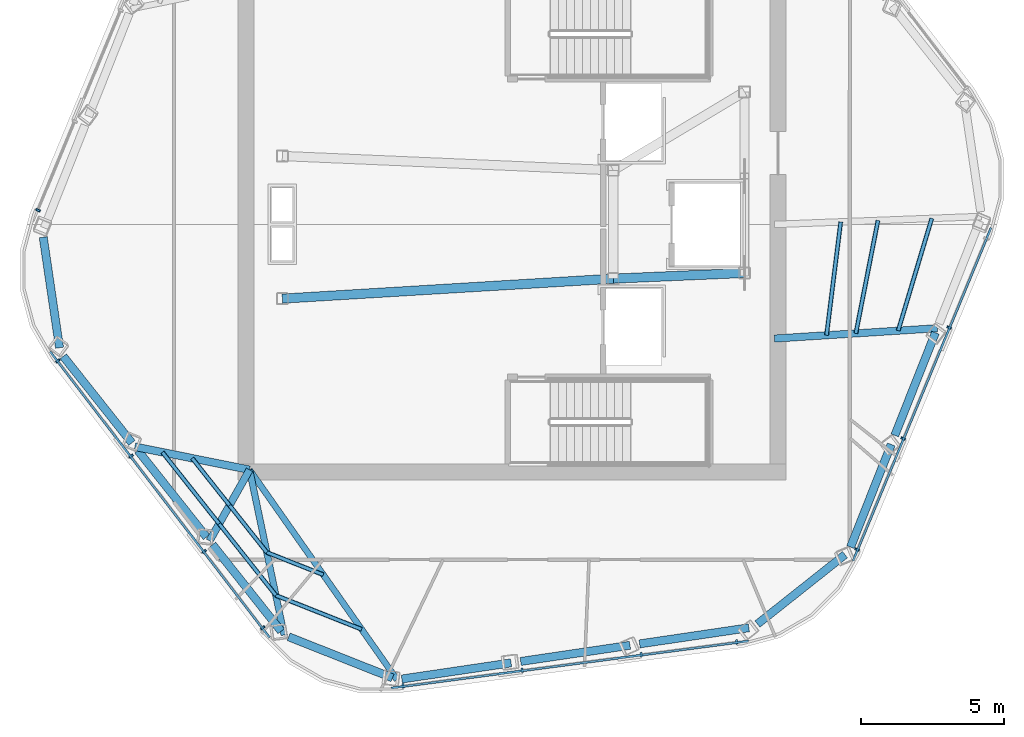
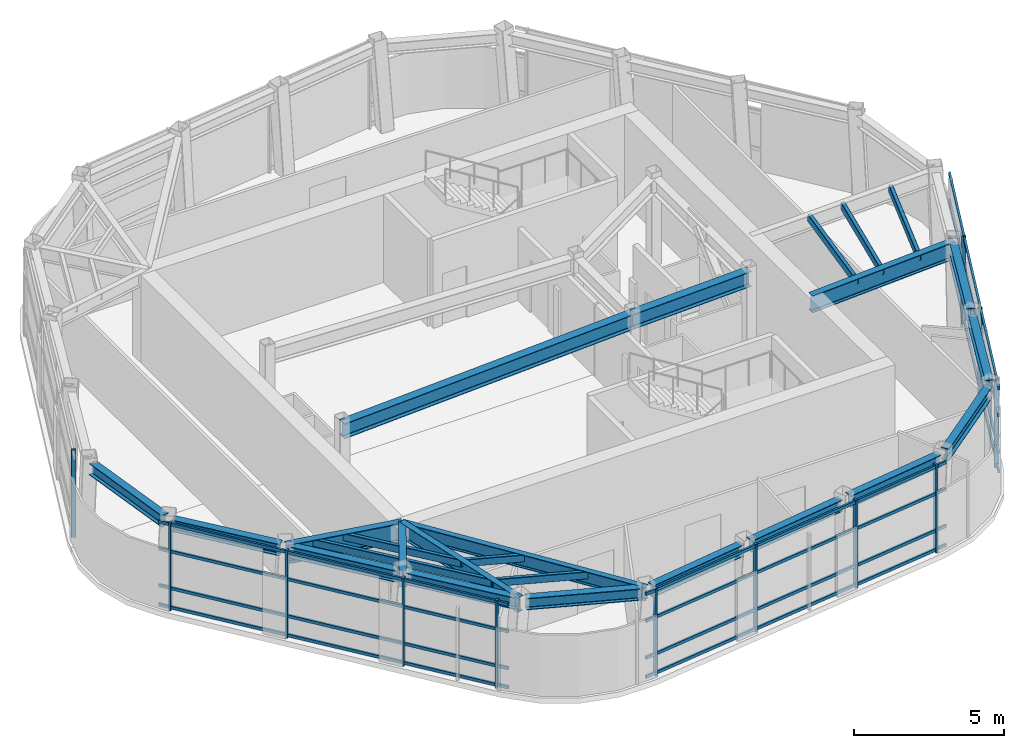
# One storey, part 2 of 9: 33 members, 18 beams, 4 elements without a shape of their own.
"""IFC4 building model written with IfcOpenShell, lengths in metres."""

from ifc_helpers import new_model, si_unit, direction, frame, origin, origin_2d, place, context, subcontext, project, spatial, rectangle, hollow_rectangle, i_section, extrude, material, layer, layer_set, material_profile, profile_set, type_object, element, aggregate, save


model = new_model("IFC4")

# Units and contexts
model_context = context("Model", 3, precision=1e-05, world=origin(), true_north=direction((0.0, 1.0)))
body_context = subcontext(model_context, "Body", "Model", "MODEL_VIEW")
ifc_project = project(units=[si_unit("LENGTHUNIT", "METRE"), si_unit("AREAUNIT", "SQUARE_METRE"), si_unit("VOLUMEUNIT", "CUBIC_METRE"), si_unit("PLANEANGLEUNIT", "RADIAN"), si_unit("MASSUNIT", "GRAM", prefix="KILO")], contexts=[model_context])

# Site, building, storey
site_placement = place(None, origin())
site = spatial("IfcSite", under=ifc_project, at=site_placement, CompositionType="ELEMENT")
building_placement = place(site_placement, origin())
building = spatial("IfcBuilding", under=site, at=building_placement, Name="Valkerne Bourse Tower", CompositionType="ELEMENT")
storey_placement = place(building_placement, frame((0.0, 0.0, 315.39990234375)))
storey = spatial("IfcBuildingStorey", under=building, at=storey_placement, Name="L80", CompositionType="ELEMENT", Elevation=315.39990234375)

# Beams
ifc_material_1 = material(Name="Steel ASTM A992", Category="steel")
ifc_material_profile_1 = material_profile(ifc_material_1, i_section(OverallWidth=0.284423828125, OverallDepth=0.47509765625, WebThickness=0.014892578125, FlangeThickness=0.02392578125, FilletRadius=0.017822265625, at=origin_2d()), Name="W18X106")
ifc_profile_set_1 = profile_set([ifc_material_profile_1], Name="Steel ASTM A992")
beam_type_1 = type_object("IfcBeamType", Name="BM-W18X106", PredefinedType="BEAM", material=ifc_profile_set_1)
beam_1_placement = place(storey_placement, frame((30.36767578125, 26.552490234375, 3.342529296875), z_axis=(0.146089921297, -0.989271315108, 0.0), x_axis=(0.989271315108, 0.146089921297, 0.0)))
element("IfcBeam", 1, at=beam_1_placement, inside=storey, type_object=beam_type_1, Name="L80 Hexagonal Spandrel Ring Beam 07", PredefinedType="BEAM", context=body_context, shape_type="SweptSolid", body=[
    extrude(i_section(OverallWidth=0.284423828125, OverallDepth=0.47509765625, WebThickness=0.014892578125, FlangeThickness=0.02392578125, FilletRadius=0.017822265625, at=origin_2d()), origin(), (0.0, 0.0, 1.0), 3.91552734375),
])
beam_2_placement = place(storey_placement, frame((31.070068359375, 22.37744140625, 3.342529296875), z_axis=(0.621143752314, -0.783696649834, 0.0), x_axis=(0.783696649834, 0.621143752314, 0.0)))
element("IfcBeam", 2, at=beam_2_placement, inside=storey, type_object=beam_type_1, Name="L80 Hexagonal Spandrel Ring Beam 08", PredefinedType="BEAM", context=body_context, shape_type="SweptSolid", body=[
    extrude(i_section(OverallWidth=0.284423828125, OverallDepth=0.47509765625, WebThickness=0.014892578125, FlangeThickness=0.02392578125, FilletRadius=0.017822265625, at=origin_2d()), origin(), (0.0, 0.0, 1.0), 3.871826171875),
])
for number, where, z_axis, x_axis, name in (
    (3, (33.686279296875, 19.07666015625, 3.342529296875), (0.621113059466, -0.78372097545, 0.0), (0.78372097545, 0.621113059466, 0.0), "L80 Hexagonal Spandrel Ring Beam 09"),
    (4, (36.302490234375, 15.775634765625, 3.342529296875), (0.621182476498, -0.783665956191, 0.0), (0.783665956191, 0.621182476498, 0.0), "L80 Hexagonal Spandrel Ring Beam 10"),
):
    element("IfcBeam", number, at=place(storey_placement, frame(where, z_axis=z_axis, x_axis=x_axis)), inside=storey, type_object=beam_type_1, Name=name, PredefinedType="BEAM", context=body_context, shape_type="SweptSolid", body=[
        extrude(i_section(OverallWidth=0.284423828125, OverallDepth=0.47509765625, WebThickness=0.014892578125, FlangeThickness=0.02392578125, FilletRadius=0.017822265625, at=origin_2d()), origin(), (0.0, 0.0, 1.0), 3.8720703125),
    ])
beam_3_placement = place(storey_placement, frame((38.971435546875, 12.54541015625, 3.342529296875), z_axis=(0.929778160455, -0.368120323184, 0.0), x_axis=(0.368120323184, 0.929778160455, 0.0)))
element("IfcBeam", 5, at=beam_3_placement, inside=storey, type_object=beam_type_1, Name="L80 Hexagonal Spandrel Ring Beam 11", PredefinedType="BEAM", context=body_context, shape_type="SweptSolid", body=[
    extrude(i_section(OverallWidth=0.284423828125, OverallDepth=0.47509765625, WebThickness=0.014892578125, FlangeThickness=0.02392578125, FilletRadius=0.017822265625, at=origin_2d()), origin(), (0.0, 0.0, 1.0), 3.91552734375),
])
for number, where, z_axis, x_axis, name in (
    (6, (42.938232421875, 11.066162109375, 3.342529296875), (0.989271400108, 0.146089345701, 0.0), (-0.146089345701, 0.989271400108, 0.0), "L80 Hexagonal Spandrel Ring Beam 12"),
    (7, (47.10498046875, 11.681396484375, 3.342529296875), (0.989262286, 0.146151050283, 0.0), (-0.146151050283, 0.989262286, 0.0), "L80 Hexagonal Spandrel Ring Beam 13"),
):
    element("IfcBeam", number, at=place(storey_placement, frame(where, z_axis=z_axis, x_axis=x_axis)), inside=storey, type_object=beam_type_1, Name=name, PredefinedType="BEAM", context=body_context, shape_type="SweptSolid", body=[
        extrude(i_section(OverallWidth=0.284423828125, OverallDepth=0.47509765625, WebThickness=0.014892578125, FlangeThickness=0.02392578125, FilletRadius=0.017822265625, at=origin_2d()), origin(), (0.0, 0.0, 1.0), 3.8720703125),
    ])
beam_4_placement = place(storey_placement, frame((51.27197265625, 12.296875, 3.342529296875), z_axis=(0.98927005434, 0.146098458532, 0.0), x_axis=(-0.146098458532, 0.98927005434, 0.0)))
element("IfcBeam", 8, at=beam_4_placement, inside=storey, type_object=beam_type_1, Name="L80 Hexagonal Spandrel Ring Beam 14", PredefinedType="BEAM", context=body_context, shape_type="SweptSolid", body=[
    extrude(i_section(OverallWidth=0.284423828125, OverallDepth=0.47509765625, WebThickness=0.014892578125, FlangeThickness=0.02392578125, FilletRadius=0.017822265625, at=origin_2d()), origin(), (0.0, 0.0, 1.0), 3.871826171875),
])
beam_5_placement = place(storey_placement, frame((55.40380859375, 12.992919921875, 3.342529296875), z_axis=(0.783695480101, 0.621145228162, 0.0), x_axis=(-0.621145228162, 0.783695480101, 0.0)))
element("IfcBeam", 9, at=beam_5_placement, inside=storey, type_object=beam_type_1, Name="L80 Hexagonal Spandrel Ring Beam 15", PredefinedType="BEAM", context=body_context, shape_type="SweptSolid", body=[
    extrude(i_section(OverallWidth=0.284423828125, OverallDepth=0.47509765625, WebThickness=0.014892578125, FlangeThickness=0.02392578125, FilletRadius=0.017822265625, at=origin_2d()), origin(), (0.0, 0.0, 1.0), 3.91552734375),
])
for number, where, z_axis, x_axis, name in (
    (10, (58.668212890625, 15.688720703125, 3.342529296875), (0.368105233791, 0.929784134547, 0.0), (-0.929784134547, 0.368105233791, 0.0), "L80 Hexagonal Spandrel Ring Beam 16"),
    (11, (60.21875, 19.60498046875, 3.342529296875), (0.368105233791, 0.929784134547, 0.0), (-0.929784134547, 0.368105233791, 0.0), "L80 Hexagonal Spandrel Ring Beam 17"),
):
    element("IfcBeam", number, at=place(storey_placement, frame(where, z_axis=z_axis, x_axis=x_axis)), inside=storey, type_object=beam_type_1, Name=name, PredefinedType="BEAM", context=body_context, shape_type="SweptSolid", body=[
        extrude(i_section(OverallWidth=0.284423828125, OverallDepth=0.47509765625, WebThickness=0.014892578125, FlangeThickness=0.02392578125, FilletRadius=0.017822265625, at=origin_2d()), origin(), (0.0, 0.0, 1.0), 3.8720703125),
    ])
ifc_material_profile_2 = material_profile(ifc_material_1, i_section(OverallWidth=0.2138671875, OverallDepth=0.548583984375, WebThickness=0.0146484375, FlangeThickness=0.023681640625, FilletRadius=0.017822265625, at=origin_2d()), Name="W21X93")
ifc_profile_set_2 = profile_set([ifc_material_profile_2], Name="Steel ASTM A992")
beam_type_2 = type_object("IfcBeamType", Name="BM-W21X93", PredefinedType="BEAM", material=ifc_profile_set_2)
beam_6_placement = place(storey_placement, frame((42.77001953125, 11.041259765625, 3.305908203125), z_axis=(-0.574869873693, 0.818244846192, 0.0), x_axis=(-0.818244846192, -0.574869873693, 0.0)))
element("IfcBeam", 12, at=beam_6_placement, inside=storey, type_object=beam_type_2, Name="L80 Radial Composite Floor Beam 12", PredefinedType="BEAM", context=body_context, shape_type="SweptSolid", body=[
    extrude(i_section(OverallWidth=0.2138671875, OverallDepth=0.548583984375, WebThickness=0.0146484375, FlangeThickness=0.023681640625, FilletRadius=0.017822265625, at=origin_2d()), origin(), (0.0, 0.0, 1.0), 8.9931640625),
])
ifc_material_profile_3 = material_profile(ifc_material_1, i_section(OverallWidth=0.3251953125, OverallDepth=0.612060546875, WebThickness=0.0126953125, FlangeThickness=0.01904296875, FilletRadius=0.020263671875, at=origin_2d()), Name="W24X104")
ifc_profile_set_3 = profile_set([ifc_material_profile_3], Name="Steel ASTM A992")
beam_type_3 = type_object("IfcBeamType", Name="BM-W24X104", PredefinedType="BEAM", material=ifc_profile_set_3)
beam_7_placement = place(storey_placement, frame((50.35009765625, 25.10009765625, 3.27392578125), z_axis=(0.999056558506, 0.043428019819, 0.0), x_axis=(-0.043428019819, 0.999056558506, 0.0)))
element("IfcBeam", 13, at=beam_7_placement, inside=storey, type_object=beam_type_3, Name="L80 Core Frame Girder CG-SE", PredefinedType="BEAM", context=body_context, shape_type="SweptSolid", body=[
    extrude(i_section(OverallWidth=0.3251953125, OverallDepth=0.612060546875, WebThickness=0.0126953125, FlangeThickness=0.01904296875, FilletRadius=0.020263671875, at=origin_2d()), origin(), (0.0, 0.0, 1.0), 4.604248046875),
])
beam_8_placement = place(storey_placement, frame((38.75, 24.39990234375, 3.27392578125), z_axis=(0.998183228389, 0.060251494276, 0.0), x_axis=(-0.060251494276, 0.998183228389, 0.0)))
element("IfcBeam", 14, at=beam_8_placement, inside=storey, type_object=beam_type_3, Name="L80 Core Frame Girder CG-SW", PredefinedType="BEAM", context=body_context, shape_type="SweptSolid", body=[
    extrude(i_section(OverallWidth=0.3251953125, OverallDepth=0.612060546875, WebThickness=0.0126953125, FlangeThickness=0.01904296875, FilletRadius=0.020263671875, at=origin_2d()), origin(), (0.0, 0.0, 1.0), 11.62109375),
])
ifc_material_profile_4 = material_profile(ifc_material_1, i_section(OverallWidth=0.228271484375, OverallDepth=0.607177734375, WebThickness=0.01123046875, FlangeThickness=0.017333984375, FilletRadius=0.017822265625, at=origin_2d()), Name="W24X76")
ifc_profile_set_4 = profile_set([ifc_material_profile_4], Name="Steel ASTM A992")
beam_type_4 = type_object("IfcBeamType", Name="BM-W24X76", PredefinedType="JOIST", material=ifc_profile_set_4)
beam_9_placement = place(storey_placement, frame((38.813232421875, 12.60791015625, 3.276611328125), z_axis=(-0.205001948106, 0.978761565077, 0.0), x_axis=(-0.978761565077, -0.205001948106, 0.0)))
element("IfcBeam", 15, at=beam_9_placement, inside=storey, type_object=beam_type_4, Name="L80 Radial Composite Floor Beam 11", PredefinedType="JOIST", context=body_context, shape_type="SweptSolid", body=[
    extrude(i_section(OverallWidth=0.228271484375, OverallDepth=0.607177734375, WebThickness=0.01123046875, FlangeThickness=0.017333984375, FilletRadius=0.017822265625, at=origin_2d()), origin(), (0.0, 0.0, 1.0), 5.917724609375),
])
ifc_material_profile_5 = material_profile(ifc_material_1, i_section(OverallWidth=0.255859375, OverallDepth=0.693359375, WebThickness=0.014404296875, FlangeThickness=0.023681640625, FilletRadius=0.02294921875, at=origin_2d()), Name="W27X114")
ifc_profile_set_5 = profile_set([ifc_material_profile_5], Name="Steel ASTM A992")
beam_type_5 = type_object("IfcBeamType", Name="BM-W27X114", PredefinedType="BEAM", material=ifc_profile_set_5)
beam_10_placement = place(storey_placement, frame((36.197021484375, 15.908935546875, 3.2333984375), z_axis=(0.490767954988, 0.871290315772, 0.0), x_axis=(-0.871290315772, 0.490767954988, 0.0)))
element("IfcBeam", 16, at=beam_10_placement, inside=storey, type_object=beam_type_5, Name="L80 Radial Composite Floor Beam 10", PredefinedType="BEAM", context=body_context, shape_type="SweptSolid", body=[
    extrude(i_section(OverallWidth=0.255859375, OverallDepth=0.693359375, WebThickness=0.014404296875, FlangeThickness=0.023681640625, FilletRadius=0.02294921875, at=origin_2d()), origin(), (0.0, 0.0, 1.0), 2.85888671875),
])
beam_11_placement = place(storey_placement, frame((61.706787109375, 23.363037109375, 3.2333984375), z_axis=(-0.997982688368, -0.063486642037, 0.0), x_axis=(0.063486642037, -0.997982688368, 0.0)))
element("IfcBeam", 17, at=beam_11_placement, inside=storey, type_object=beam_type_5, Name="L80 Radial Composite Floor Beam 18", PredefinedType="BEAM", context=body_context, shape_type="SweptSolid", body=[
    extrude(i_section(OverallWidth=0.255859375, OverallDepth=0.693359375, WebThickness=0.014404296875, FlangeThickness=0.023681640625, FilletRadius=0.02294921875, at=origin_2d()), origin(), (0.0, 0.0, 1.0), 5.71826171875),
])
ifc_material_profile_6 = material_profile(ifc_material_1, i_section(OverallWidth=0.26806640625, OverallDepth=0.76953125, WebThickness=0.015625, FlangeThickness=0.025390625, FilletRadius=0.025390625, at=origin_2d()), Name="W30X132")
ifc_profile_set_6 = profile_set([ifc_material_profile_6], Name="Steel ASTM A992")
beam_type_6 = type_object("IfcBeamType", Name="BM-W30X132", PredefinedType="BEAM", material=ifc_profile_set_6)
beam_12_placement = place(storey_placement, frame((33.580810546875, 19.209716796875, 3.1953125), z_axis=(0.980300273935, -0.197512969, 0.0), x_axis=(0.197512969, 0.980300273935, 0.0)))
element("IfcBeam", 18, at=beam_12_placement, inside=storey, type_object=beam_type_6, Name="L80 Radial Composite Floor Beam 09", PredefinedType="BEAM", context=body_context, shape_type="SweptSolid", body=[
    extrude(i_section(OverallWidth=0.26806640625, OverallDepth=0.76953125, WebThickness=0.015625, FlangeThickness=0.025390625, FilletRadius=0.025390625, at=origin_2d()), origin(), (0.0, 0.0, 1.0), 4.10009765625),
])

# Curtain wall, member
ifc_material_2 = material(Name="Aluminium AA 6063-T6", Category="aluminium")
ifc_layer = layer(ifc_material_2, 0.25)
ifc_layer_set = layer_set([ifc_layer], Name="Aluminium AA 6063-T6")
curtain_wall_type = type_object("IfcCurtainWallType", Name="CW-06", PredefinedType="NOTDEFINED", material=ifc_layer_set)
curtain_wall_1_placement = place(storey_placement, origin())
curtain_wall_1 = element("IfcCurtainWall", 19, at=curtain_wall_1_placement, inside=storey, type_object=curtain_wall_type, Name="L80 Hexagonal Stick Curtain Wall Face 2", PredefinedType="NOTDEFINED")
ifc_material_profile_7 = material_profile(ifc_material_2, rectangle(XDim=0.074951171875, YDim=0.159912109375, at=origin_2d()), Name="CWM-75X160")
ifc_profile_set_7 = profile_set([ifc_material_profile_7], Name="Aluminium AA 6063-T6")
member_type_1 = type_object("IfcMemberType", Name="CW-MUL-160X75", PredefinedType="MULLION", material=ifc_profile_set_7)
member_1_placement = place(storey_placement, frame((30.18701171875, 27.497314453125, 0.0), z_axis=(0.0, 0.0, 1.0), x_axis=(-0.382689378694, -0.923877069439, 0.0)))
member_1 = element("IfcMember", 20, at=member_1_placement, type_object=member_type_1, Name="CW-L80-F2 Jamb Mullion 02B", PredefinedType="MULLION", context=body_context, shape_type="SweptSolid", body=[
    extrude(rectangle(XDim=0.074951171875, YDim=0.159912109375, at=origin_2d()), origin(), (0.0, 0.0, 1.0), 3.580078125),
])
aggregate(curtain_wall_1, [member_1])

# Curtain wall, members
curtain_wall_2_placement = place(storey_placement, origin())
curtain_wall_2 = element("IfcCurtainWall", 21, at=curtain_wall_2_placement, inside=storey, type_object=curtain_wall_type, Name="L80 Hexagonal Stick Curtain Wall Face 3", PredefinedType="NOTDEFINED")
member_2_placement = place(storey_placement, frame((30.8818359375, 22.2197265625, 0.0), z_axis=(0.0, 0.0, 1.0), x_axis=(0.608761449474, -0.793353324588, 0.0)))
member_2 = element("IfcMember", 22, at=member_2_placement, type_object=member_type_1, Name="CW-L80-F3 Jamb Mullion 00A", PredefinedType="MULLION", context=body_context, shape_type="SweptSolid", body=[
    extrude(rectangle(XDim=0.074951171875, YDim=0.159912109375, at=origin_2d()), origin(), (0.0, 0.0, 1.0), 3.580078125),
])
member_3_placement = place(storey_placement, frame((33.44580078125, 18.878173828125, 0.0), z_axis=(0.0, 0.0, 1.0), x_axis=(0.608761449474, -0.793353324588, 0.0)))
member_3 = element("IfcMember", 23, at=member_3_placement, type_object=member_type_1, Name="CW-L80-F3 Jamb Mullion 01A", PredefinedType="MULLION", context=body_context, shape_type="SweptSolid", body=[
    extrude(rectangle(XDim=0.074951171875, YDim=0.159912109375, at=origin_2d()), origin(), (0.0, 0.0, 1.0), 3.580078125),
])
member_4_placement = place(storey_placement, frame((36.010009765625, 15.53662109375, 0.0), z_axis=(0.0, 0.0, 1.0), x_axis=(0.608761449474, -0.793353324588, 0.0)))
member_4 = element("IfcMember", 24, at=member_4_placement, type_object=member_type_1, Name="CW-L80-F3 Jamb Mullion 02A", PredefinedType="MULLION", context=body_context, shape_type="SweptSolid", body=[
    extrude(rectangle(XDim=0.074951171875, YDim=0.159912109375, at=origin_2d()), origin(), (0.0, 0.0, 1.0), 3.580078125),
])
member_5_placement = place(storey_placement, frame((38.062744140625, 12.861328125, 0.0), z_axis=(0.0, 0.0, 1.0), x_axis=(0.608761449474, -0.793353324588, 0.0)))
member_5 = element("IfcMember", 25, at=member_5_placement, type_object=member_type_1, Name="CW-L80-F3 Jamb Mullion 02B", PredefinedType="MULLION", context=body_context, shape_type="SweptSolid", body=[
    extrude(rectangle(XDim=0.074951171875, YDim=0.159912109375, at=origin_2d()), origin(), (0.0, 0.0, 1.0), 3.580078125),
])

curtain_wall_3_placement = place(storey_placement, origin())
curtain_wall_3 = element("IfcCurtainWall", 26, at=curtain_wall_3_placement, inside=storey, type_object=curtain_wall_type, Name="L80 Hexagonal Stick Curtain Wall Face 4", PredefinedType="NOTDEFINED")
member_6_placement = place(storey_placement, frame((42.980712890625, 10.82421875, 0.0), z_axis=(0.0, 0.0, 1.0), x_axis=(0.991444272388, 0.130530665937, 0.0)))
member_6 = element("IfcMember", 27, at=member_6_placement, type_object=member_type_1, Name="CW-L80-F4 Jamb Mullion 00A", PredefinedType="MULLION", context=body_context, shape_type="SweptSolid", body=[
    extrude(rectangle(XDim=0.074951171875, YDim=0.159912109375, at=origin_2d()), origin(), (0.0, 0.0, 1.0), 3.580078125),
])
member_7_placement = place(storey_placement, frame((47.15673828125, 11.3740234375, 0.0), z_axis=(0.0, 0.0, 1.0), x_axis=(0.991443867861, 0.130533738481, 0.0)))
member_7 = element("IfcMember", 28, at=member_7_placement, type_object=member_type_1, Name="CW-L80-F4 Jamb Mullion 01A", PredefinedType="MULLION", context=body_context, shape_type="SweptSolid", body=[
    extrude(rectangle(XDim=0.074951171875, YDim=0.159912109375, at=origin_2d()), origin(), (0.0, 0.0, 1.0), 3.580078125),
])
member_8_placement = place(storey_placement, frame((51.33251953125, 11.923828125, 0.0), z_axis=(0.0, 0.0, 1.0), x_axis=(0.991447344601, 0.130507328854, 0.0)))
member_8 = element("IfcMember", 29, at=member_8_placement, type_object=member_type_1, Name="CW-L80-F4 Jamb Mullion 02A", PredefinedType="MULLION", context=body_context, shape_type="SweptSolid", body=[
    extrude(rectangle(XDim=0.074951171875, YDim=0.159912109375, at=origin_2d()), origin(), (0.0, 0.0, 1.0), 3.580078125),
])
member_9_placement = place(storey_placement, frame((54.67578125, 12.364013671875, 0.0), z_axis=(0.0, 0.0, 1.0), x_axis=(0.991447344601, 0.130507328854, 0.0)))
member_9 = element("IfcMember", 30, at=member_9_placement, type_object=member_type_1, Name="CW-L80-F4 Jamb Mullion 02B", PredefinedType="MULLION", context=body_context, shape_type="SweptSolid", body=[
    extrude(rectangle(XDim=0.074951171875, YDim=0.159912109375, at=origin_2d()), origin(), (0.0, 0.0, 1.0), 3.580078125),
])

curtain_wall_4_placement = place(storey_placement, origin())
curtain_wall_4 = element("IfcCurtainWall", 31, at=curtain_wall_4_placement, inside=storey, type_object=curtain_wall_type, Name="L80 Hexagonal Stick Curtain Wall Face 5", PredefinedType="NOTDEFINED")
member_10_placement = place(storey_placement, frame((58.898681640625, 15.6044921875, 0.0), z_axis=(0.0, 0.0, 1.0), x_axis=(0.382689378694, 0.923877069439, 0.0)))
member_10 = element("IfcMember", 32, at=member_10_placement, type_object=member_type_1, Name="CW-L80-F5 Jamb Mullion 00A", PredefinedType="MULLION", context=body_context, shape_type="SweptSolid", body=[
    extrude(rectangle(XDim=0.074951171875, YDim=0.159912109375, at=origin_2d()), origin(), (0.0, 0.0, 1.0), 3.580078125),
])
member_11_placement = place(storey_placement, frame((60.5107421875, 19.495849609375, 0.0), z_axis=(0.0, 0.0, 1.0), x_axis=(0.382669113873, 0.923885463295, 0.0)))
member_11 = element("IfcMember", 33, at=member_11_placement, type_object=member_type_1, Name="CW-L80-F5 Jamb Mullion 01A", PredefinedType="MULLION", context=body_context, shape_type="SweptSolid", body=[
    extrude(rectangle(XDim=0.074951171875, YDim=0.159912109375, at=origin_2d()), origin(), (0.0, 0.0, 1.0), 3.580078125),
])
member_12_placement = place(storey_placement, frame((62.12255859375, 23.38720703125, 0.0), z_axis=(0.0, 0.0, 1.0), x_axis=(0.382689378694, 0.923877069439, 0.0)))
member_12 = element("IfcMember", 34, at=member_12_placement, type_object=member_type_1, Name="CW-L80-F5 Jamb Mullion 02A", PredefinedType="MULLION", context=body_context, shape_type="SweptSolid", body=[
    extrude(rectangle(XDim=0.074951171875, YDim=0.159912109375, at=origin_2d()), origin(), (0.0, 0.0, 1.0), 3.580078125),
])

# Member
ifc_material_profile_8 = material_profile(ifc_material_2, rectangle(XDim=0.074951171875, YDim=0.1201171875, at=origin_2d()), Name="CWT-75X120")
ifc_profile_set_8 = profile_set([ifc_material_profile_8], Name="Aluminium AA 6063-T6")
member_type_2 = type_object("IfcMemberType", Name="CW-TRN-120X75", PredefinedType="USERDEFINED", material=ifc_profile_set_8)
member_13_placement = place(storey_placement, frame((30.6103515625, 22.540771484375, 0.1201171875), z_axis=(0.608758833185, -0.79335533213, 0.0), x_axis=(0.79335533213, 0.608758833185, 0.0)))
member_13 = element("IfcMember", 35, at=member_13_placement, type_object=member_type_2, Name="CW-L80-F3 Continuous Face Transom 1", ObjectType="TRANSOM", PredefinedType="USERDEFINED", context=body_context, shape_type="SweptSolid", body=[
    extrude(rectangle(XDim=0.074951171875, YDim=0.1201171875, at=origin_2d()), origin(), (0.0, 0.0, 1.0), 12.6357421875),
])

member_14_placement = place(storey_placement, frame((30.6103515625, 22.540771484375, 0.900146484375), z_axis=(0.608758833185, -0.79335533213, 0.0), x_axis=(0.79335533213, 0.608758833185, 0.0)))
member_14 = element("IfcMember", 36, at=member_14_placement, type_object=member_type_2, Name="CW-L80-F3 Continuous Face Transom 2", ObjectType="TRANSOM", PredefinedType="USERDEFINED", context=body_context, shape_type="SweptSolid", body=[
    extrude(rectangle(XDim=0.074951171875, YDim=0.1201171875, at=origin_2d()), origin(), (0.0, 0.0, 1.0), 12.6357421875),
])

member_15_placement = place(storey_placement, frame((30.6103515625, 22.540771484375, 2.400146484375), z_axis=(0.608758833185, -0.79335533213, 0.0), x_axis=(0.79335533213, 0.608758833185, 0.0)))
member_15 = element("IfcMember", 37, at=member_15_placement, type_object=member_type_2, Name="CW-L80-F3 Continuous Face Transom 3", ObjectType="TRANSOM", PredefinedType="USERDEFINED", context=body_context, shape_type="SweptSolid", body=[
    extrude(rectangle(XDim=0.074951171875, YDim=0.1201171875, at=origin_2d()), origin(), (0.0, 0.0, 1.0), 12.6357421875),
])

member_16_placement = place(storey_placement, frame((30.6103515625, 22.540771484375, 3.5), z_axis=(0.608758833185, -0.79335533213, 0.0), x_axis=(0.79335533213, 0.608758833185, 0.0)))
member_16 = element("IfcMember", 38, at=member_16_placement, type_object=member_type_2, Name="CW-L80-F3 Continuous Face Transom 4", ObjectType="TRANSOM", PredefinedType="USERDEFINED", context=body_context, shape_type="SweptSolid", body=[
    extrude(rectangle(XDim=0.074951171875, YDim=0.1201171875, at=origin_2d()), origin(), (0.0, 0.0, 1.0), 12.6357421875),
])

aggregate(curtain_wall_2, [member_13, member_14, member_15, member_16, member_2, member_3, member_4, member_5])

member_17_placement = place(storey_placement, frame((42.56689453125, 10.749755859375, 0.1201171875), z_axis=(0.991446402169, 0.130514488184, 0.0), x_axis=(-0.130514488184, 0.991446402169, 0.0)))
member_17 = element("IfcMember", 39, at=member_17_placement, type_object=member_type_2, Name="CW-L80-F4 Continuous Face Transom 1", ObjectType="TRANSOM", PredefinedType="USERDEFINED", context=body_context, shape_type="SweptSolid", body=[
    extrude(rectangle(XDim=0.074951171875, YDim=0.1201171875, at=origin_2d()), origin(), (0.0, 0.0, 1.0), 12.635986328125),
])

member_18_placement = place(storey_placement, frame((42.56689453125, 10.749755859375, 0.900146484375), z_axis=(0.991446402169, 0.130514488184, 0.0), x_axis=(-0.130514488184, 0.991446402169, 0.0)))
member_18 = element("IfcMember", 40, at=member_18_placement, type_object=member_type_2, Name="CW-L80-F4 Continuous Face Transom 2", ObjectType="TRANSOM", PredefinedType="USERDEFINED", context=body_context, shape_type="SweptSolid", body=[
    extrude(rectangle(XDim=0.074951171875, YDim=0.1201171875, at=origin_2d()), origin(), (0.0, 0.0, 1.0), 12.635986328125),
])

member_19_placement = place(storey_placement, frame((42.56689453125, 10.749755859375, 2.400146484375), z_axis=(0.991446402169, 0.130514488184, 0.0), x_axis=(-0.130514488184, 0.991446402169, 0.0)))
member_19 = element("IfcMember", 41, at=member_19_placement, type_object=member_type_2, Name="CW-L80-F4 Continuous Face Transom 3", ObjectType="TRANSOM", PredefinedType="USERDEFINED", context=body_context, shape_type="SweptSolid", body=[
    extrude(rectangle(XDim=0.074951171875, YDim=0.1201171875, at=origin_2d()), origin(), (0.0, 0.0, 1.0), 12.635986328125),
])

member_20_placement = place(storey_placement, frame((42.56689453125, 10.749755859375, 3.5), z_axis=(0.991446402169, 0.130514488184, 0.0), x_axis=(-0.130514488184, 0.991446402169, 0.0)))
member_20 = element("IfcMember", 42, at=member_20_placement, type_object=member_type_2, Name="CW-L80-F4 Continuous Face Transom 4", ObjectType="TRANSOM", PredefinedType="USERDEFINED", context=body_context, shape_type="SweptSolid", body=[
    extrude(rectangle(XDim=0.074951171875, YDim=0.1201171875, at=origin_2d()), origin(), (0.0, 0.0, 1.0), 12.635986328125),
])

aggregate(curtain_wall_3, [member_17, member_18, member_19, member_20, member_6, member_7, member_8, member_9])

member_21_placement = place(storey_placement, frame((58.756591796875, 15.208740234375, 0.1201171875), z_axis=(0.382685673107, 0.923878604363, 0.0), x_axis=(-0.923878604363, 0.382685673107, 0.0)))
member_21 = element("IfcMember", 43, at=member_21_placement, type_object=member_type_2, Name="CW-L80-F5 Continuous Face Transom 1", ObjectType="TRANSOM", PredefinedType="USERDEFINED", context=body_context, shape_type="SweptSolid", body=[
    extrude(rectangle(XDim=0.074951171875, YDim=0.1201171875, at=origin_2d()), origin(), (0.0, 0.0, 1.0), 12.63623046875),
])

member_22_placement = place(storey_placement, frame((58.756591796875, 15.208740234375, 0.900146484375), z_axis=(0.382685673107, 0.923878604363, 0.0), x_axis=(-0.923878604363, 0.382685673107, 0.0)))
member_22 = element("IfcMember", 44, at=member_22_placement, type_object=member_type_2, Name="CW-L80-F5 Continuous Face Transom 2", ObjectType="TRANSOM", PredefinedType="USERDEFINED", context=body_context, shape_type="SweptSolid", body=[
    extrude(rectangle(XDim=0.074951171875, YDim=0.1201171875, at=origin_2d()), origin(), (0.0, 0.0, 1.0), 12.63623046875),
])

member_23_placement = place(storey_placement, frame((58.756591796875, 15.208740234375, 2.400146484375), z_axis=(0.382685673107, 0.923878604363, 0.0), x_axis=(-0.923878604363, 0.382685673107, 0.0)))
member_23 = element("IfcMember", 45, at=member_23_placement, type_object=member_type_2, Name="CW-L80-F5 Continuous Face Transom 3", ObjectType="TRANSOM", PredefinedType="USERDEFINED", context=body_context, shape_type="SweptSolid", body=[
    extrude(rectangle(XDim=0.074951171875, YDim=0.1201171875, at=origin_2d()), origin(), (0.0, 0.0, 1.0), 12.63623046875),
])

member_24_placement = place(storey_placement, frame((58.756591796875, 15.208740234375, 3.5), z_axis=(0.382685673107, 0.923878604363, 0.0), x_axis=(-0.923878604363, 0.382685673107, 0.0)))
member_24 = element("IfcMember", 46, at=member_24_placement, type_object=member_type_2, Name="CW-L80-F5 Continuous Face Transom 4", ObjectType="TRANSOM", PredefinedType="USERDEFINED", context=body_context, shape_type="SweptSolid", body=[
    extrude(rectangle(XDim=0.074951171875, YDim=0.1201171875, at=origin_2d()), origin(), (0.0, 0.0, 1.0), 12.63623046875),
])

aggregate(curtain_wall_4, [member_21, member_22, member_23, member_24, member_10, member_11, member_12])

# Members
ifc_material_3 = material(Name="Steel ASTM A500 Grade C", Category="steel")
ifc_material_profile_9 = material_profile(ifc_material_3, hollow_rectangle(XDim=0.14990234375, YDim=0.300048828125, WallThickness=0.012451171875, OuterFilletRadius=0.02490234375, at=origin_2d()), Name="HSS300X150X12.5")
ifc_profile_set_9 = profile_set([ifc_material_profile_9], Name="Steel ASTM A500 Grade C")
member_type_3 = type_object("IfcMemberType", Name="MBR-HSS300X150X12.5", PredefinedType="PURLIN", material=ifc_profile_set_9)
member_25_placement = place(storey_placement, frame((57.826171875, 23.1162109375, 3.420166015625), z_axis=(0.123899652051, 0.992294752693, 0.0), x_axis=(-0.992294752693, 0.123899652051, 0.0)))
element("IfcMember", 47, at=member_25_placement, inside=storey, type_object=member_type_3, Name="L80 Secondary Composite Floor Purlin I-18", PredefinedType="PURLIN", context=body_context, shape_type="SweptSolid", body=[
    extrude(hollow_rectangle(XDim=0.14990234375, YDim=0.300048828125, WallThickness=0.012451171875, OuterFilletRadius=0.02490234375, at=origin_2d()), origin(), (0.0, 0.0, 1.0), 4.00390625),
])
member_26_placement = place(storey_placement, frame((35.59033203125, 18.804931640625, 3.420166015625), z_axis=(0.621097759646, -0.783733100591, 0.0), x_axis=(0.783733100591, 0.621097759646, 0.0)))
element("IfcMember", 48, at=member_26_placement, inside=storey, type_object=member_type_3, Name="L80 Secondary Composite Floor Purlin M-09", PredefinedType="PURLIN", context=body_context, shape_type="SweptSolid", body=[
    extrude(hollow_rectangle(XDim=0.14990234375, YDim=0.300048828125, WallThickness=0.012451171875, OuterFilletRadius=0.02490234375, at=origin_2d()), origin(), (0.0, 0.0, 1.0), 2.106201171875),
])
member_27_placement = place(storey_placement, frame((36.8984375, 17.154296875, 3.420166015625), z_axis=(0.621154189961, -0.783688377031, 0.0), x_axis=(0.783688377031, 0.621154189961, 0.0)))
element("IfcMember", 49, at=member_27_placement, inside=storey, type_object=member_type_3, Name="L80 Secondary Composite Floor Purlin M-10", PredefinedType="PURLIN", context=body_context, shape_type="SweptSolid", body=[
    extrude(hollow_rectangle(XDim=0.14990234375, YDim=0.300048828125, WallThickness=0.012451171875, OuterFilletRadius=0.02490234375, at=origin_2d()), origin(), (0.0, 0.0, 1.0), 2.10595703125),
])
member_28_placement = place(storey_placement, frame((38.20654296875, 15.50390625, 3.420166015625), z_axis=(0.929800069026, -0.368064982902, 0.0), x_axis=(0.368064982902, 0.929800069026, 0.0)))
element("IfcMember", 50, at=member_28_placement, inside=storey, type_object=member_type_3, Name="L80 Secondary Composite Floor Purlin M-11", PredefinedType="PURLIN", context=body_context, shape_type="SweptSolid", body=[
    extrude(hollow_rectangle(XDim=0.14990234375, YDim=0.300048828125, WallThickness=0.012451171875, OuterFilletRadius=0.02490234375, at=origin_2d()), origin(), (0.0, 0.0, 1.0), 2.1279296875),
])
member_29_placement = place(storey_placement, frame((58.853271484375, 23.181640625, 3.420166015625), z_axis=(0.192249871727, 0.981346007696, 0.0), x_axis=(-0.981346007696, 0.192249871727, 0.0)))
element("IfcMember", 51, at=member_29_placement, inside=storey, type_object=member_type_3, Name="L80 Secondary Composite Floor Purlin M-18", PredefinedType="PURLIN", context=body_context, shape_type="SweptSolid", body=[
    extrude(hollow_rectangle(XDim=0.14990234375, YDim=0.300048828125, WallThickness=0.012451171875, OuterFilletRadius=0.02490234375, at=origin_2d()), origin(), (0.0, 0.0, 1.0), 4.033203125),
])
member_30_placement = place(storey_placement, frame((34.54541015625, 19.015380859375, 3.420166015625), z_axis=(0.621154120666, -0.783688431955, 0.0), x_axis=(0.783688431955, 0.621154120666, 0.0)))
element("IfcMember", 52, at=member_30_placement, inside=storey, type_object=member_type_3, Name="L80 Secondary Composite Floor Purlin O-09", PredefinedType="PURLIN", context=body_context, shape_type="SweptSolid", body=[
    extrude(hollow_rectangle(XDim=0.14990234375, YDim=0.300048828125, WallThickness=0.012451171875, OuterFilletRadius=0.02490234375, at=origin_2d()), origin(), (0.0, 0.0, 1.0), 3.200927734375),
])
member_31_placement = place(storey_placement, frame((36.53369140625, 16.5068359375, 3.420166015625), z_axis=(0.62116383474, -0.783680732448, 0.0), x_axis=(0.783680732448, 0.62116383474, 0.0)))
element("IfcMember", 53, at=member_31_placement, inside=storey, type_object=member_type_3, Name="L80 Secondary Composite Floor Purlin O-10", PredefinedType="PURLIN", context=body_context, shape_type="SweptSolid", body=[
    extrude(hollow_rectangle(XDim=0.14990234375, YDim=0.300048828125, WallThickness=0.012451171875, OuterFilletRadius=0.02490234375, at=origin_2d()), origin(), (0.0, 0.0, 1.0), 3.201171875),
])
member_32_placement = place(storey_placement, frame((38.522216796875, 13.998046875, 3.420166015625), z_axis=(0.9297673208, -0.368147700214, 0.0), x_axis=(0.368147700214, 0.9297673208, 0.0)))
element("IfcMember", 54, at=member_32_placement, inside=storey, type_object=member_type_3, Name="L80 Secondary Composite Floor Purlin O-11", PredefinedType="PURLIN", context=body_context, shape_type="SweptSolid", body=[
    extrude(hollow_rectangle(XDim=0.14990234375, YDim=0.300048828125, WallThickness=0.012451171875, OuterFilletRadius=0.02490234375, at=origin_2d()), origin(), (0.0, 0.0, 1.0), 3.234130859375),
])
member_33_placement = place(storey_placement, frame((60.337158203125, 23.27587890625, 3.420166015625), z_axis=(0.28673732331, 0.958009241825, 0.0), x_axis=(-0.958009241825, 0.28673732331, 0.0)))
element("IfcMember", 55, at=member_33_placement, inside=storey, type_object=member_type_3, Name="L80 Secondary Composite Floor Purlin O-18", PredefinedType="PURLIN", context=body_context, shape_type="SweptSolid", body=[
    extrude(hollow_rectangle(XDim=0.14990234375, YDim=0.300048828125, WallThickness=0.012451171875, OuterFilletRadius=0.02490234375, at=origin_2d()), origin(), (0.0, 0.0, 1.0), 4.109130859375),
])

save(model, "model.ifc")
